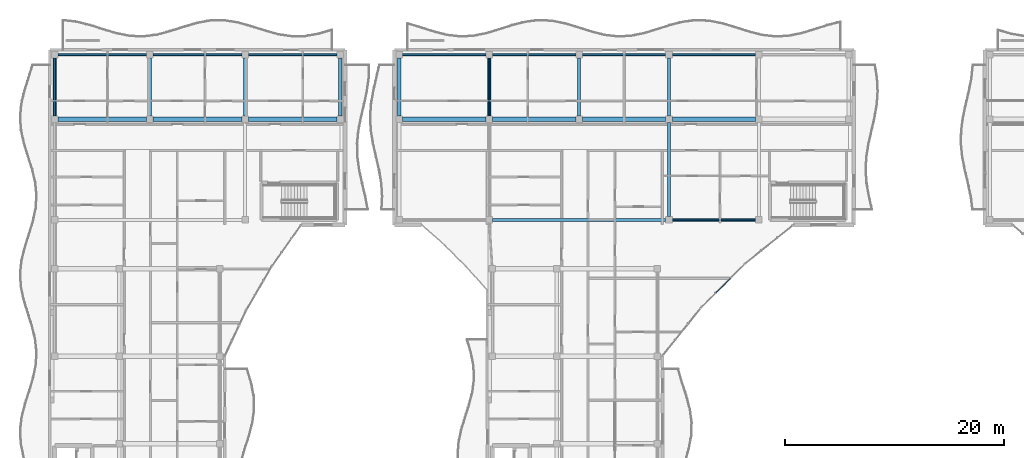
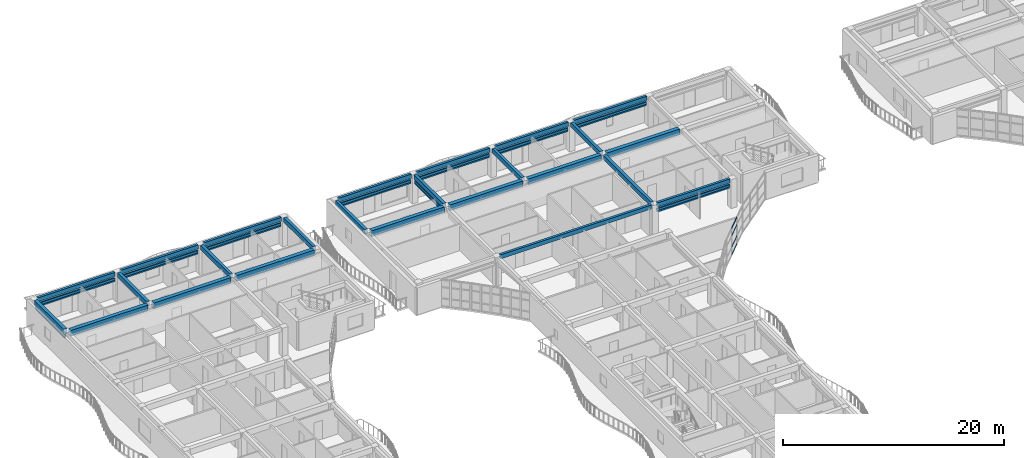
# One storey, part 14 of 79: 25 beams, 24 members, 1 element without a shape of its own.
"""IFC4 building model written with IfcOpenShell, lengths in metres."""

import ifcopenshell
import ifcopenshell.guid

model = None  # the IFC model being written
_history = None  # IfcOwnerHistory: only IFC2X3 demands one
_inside = {}  # id of a spatial element -> (the spatial element, [elements in it])
_under = {}  # id of a project, library or spatial element -> (it, [spatial elements below it])
_declared = {}  # id of a project -> (the project, [libraries it declares])
_typed = {}  # id of a type object -> (the type object, [elements of that type])
_made_of = {}  # id of a material, layer set ... -> (it, [elements and type objects made of it])


def new_model(schema):
    """Start an empty IFC model of exactly this schema.

    Asked for "IFC4X3", IfcOpenShell would pick the latest addendum, in which some entities
    have other attributes; the version numbers below select the first issue.
    IFC2X3 requires an IfcOwnerHistory on every rooted entity: one is made here for all.
    """
    global model, _history
    if schema == "IFC4X3":
        model = ifcopenshell.file(schema_version=(4, 3, 0, 0))
    else:
        model = ifcopenshell.file(schema=schema)
    _inside.clear()
    _under.clear()
    _declared.clear()
    _typed.clear()
    _made_of.clear()
    _history = None
    if model.schema == "IFC2X3":
        org = make("IfcOrganization", Name="unknown")
        user = make(
            "IfcPersonAndOrganization",
            ThePerson=make("IfcPerson", FamilyName="unknown"),
            TheOrganization=org,
        )
        app = make(
            "IfcApplication",
            ApplicationDeveloper=org,
            Version="unknown",
            ApplicationFullName="unknown",
            ApplicationIdentifier="unknown",
        )
        _history = make(
            "IfcOwnerHistory",
            OwningUser=user,
            OwningApplication=app,
            ChangeAction="ADDED",
            CreationDate=0,
        )
    return model


def make(cls, **values):
    """One entity of the class cls with the attributes given. An attribute that is None is left unset."""
    return model.create_entity(
        cls, **{name: value for name, value in values.items() if value is not None}
    )


def rooted(cls, **values):
    """An entity with a GlobalId (a new one), such as an element, a storey or a relation."""
    return make(cls, GlobalId=ifcopenshell.guid.new(), OwnerHistory=_history, **values)


def si_unit(unit_type, name, prefix=None):
    """IfcSIUnit, for example si_unit("LENGTHUNIT", "METRE", prefix="MILLI")."""
    return make("IfcSIUnit", UnitType=unit_type, Prefix=prefix, Name=name)


def assignment(units):
    """IfcUnitAssignment: the units of a project."""
    return None if units is None else make("IfcUnitAssignment", Units=units)


def point(xyz):
    """IfcCartesianPoint."""
    return None if xyz is None else make("IfcCartesianPoint", Coordinates=xyz)


def direction(xyz):
    """IfcDirection."""
    return None if xyz is None else make("IfcDirection", DirectionRatios=xyz)


def frame(location, z_axis=None, x_axis=None):
    """IfcAxis2Placement3D, a coordinate frame: its origin and axes. An axis left out is left unset."""
    return make(
        "IfcAxis2Placement3D",
        Location=point(location),
        Axis=direction(z_axis),
        RefDirection=direction(x_axis),
    )


def frame_2d(location, x_axis=None):
    """IfcAxis2Placement2D, a coordinate frame in the plane: its origin and x axis."""
    return make(
        "IfcAxis2Placement2D", Location=point(location), RefDirection=direction(x_axis)
    )


def origin():
    """The frame at (0, 0, 0) with its axes left unset."""
    return frame((0.0, 0.0, 0.0))


def origin_2d():
    """The frame at (0, 0) in the plane with its x axis left unset."""
    return frame_2d((0.0, 0.0))


def place(relative_to, where):
    """IfcLocalPlacement: puts the frame where relative to a parent placement (None: the world)."""
    return make(
        "IfcLocalPlacement", PlacementRelTo=relative_to, RelativePlacement=where
    )


def context(
    kind, dimensions, precision=None, world=None, true_north=None, identifier=None
):
    """IfcGeometricRepresentationContext, for example the 3D "Model" context."""
    return make(
        "IfcGeometricRepresentationContext",
        ContextIdentifier=identifier,
        ContextType=kind,
        CoordinateSpaceDimension=dimensions,
        Precision=precision,
        WorldCoordinateSystem=world,
        TrueNorth=true_north,
    )


def subcontext(parent, identifier, kind, view, scale=None):
    """IfcGeometricRepresentationSubContext, for example "Body" below "Model"."""
    return make(
        "IfcGeometricRepresentationSubContext",
        ContextIdentifier=identifier,
        ContextType=kind,
        ParentContext=parent,
        TargetScale=scale,
        TargetView=view,
    )


def project(units=None, contexts=None):
    """IfcProject with its units and contexts."""
    return rooted(
        "IfcProject",
        Name="project",
        RepresentationContexts=contexts,
        UnitsInContext=assignment(units),
    )


def spatial(cls, under=None, at=None, **own):
    """A site, building, storey or space (cls), placed at a placement, below another one or the project."""
    s = rooted(cls, ObjectPlacement=at, **own)
    if under is not None:
        _under.setdefault(under.id(), (under, []))[1].append(s)
    return s


def profile(cls, at=None, kind="AREA", **sizes):
    """A parametric profile (cls). Its sizes go by their IFC names, for example OverallWidth=200.0."""
    return make(cls, ProfileType=kind, Position=at, **sizes)


def rectangle(**sizes):
    """IfcRectangleProfileDef."""
    return profile("IfcRectangleProfileDef", **sizes)


def hollow_rectangle(**sizes):
    """IfcRectangleHollowProfileDef."""
    return profile("IfcRectangleHollowProfileDef", **sizes)


def extrude(swept, where, along, depth):
    """IfcExtrudedAreaSolid: the profile swept, set in the frame where, extruded along a direction by depth."""
    return make(
        "IfcExtrudedAreaSolid",
        SweptArea=swept,
        Position=where,
        ExtrudedDirection=direction(along),
        Depth=depth,
    )


def shape(context_of_items, identifier, shape_type, items):
    """IfcShapeRepresentation: the items that make up one representation, for example the "Body"."""
    return make(
        "IfcShapeRepresentation",
        ContextOfItems=context_of_items,
        RepresentationIdentifier=identifier,
        RepresentationType=shape_type,
        Items=items,
    )


def material(Name=None, Category=None):
    """IfcMaterial."""
    return make("IfcMaterial", Name=Name, Category=Category)


def layer(
    of_material, thickness, ventilated=None, Name=None, Category=None, Priority=None
):
    """IfcMaterialLayer: one layer of a wall or slab, of a material (None: an air gap)."""
    return make(
        "IfcMaterialLayer",
        Material=of_material,
        LayerThickness=thickness,
        IsVentilated=ventilated,
        Name=Name,
        Category=Category,
        Priority=Priority,
    )


def layer_set(layers, Name=None):
    """IfcMaterialLayerSet."""
    return make("IfcMaterialLayerSet", MaterialLayers=layers, LayerSetName=Name)


def material_profile(
    of_material, cross_section, Name=None, Category=None, Priority=None
):
    """IfcMaterialProfile: a cross section and its material."""
    return make(
        "IfcMaterialProfile",
        Name=Name,
        Material=of_material,
        Profile=cross_section,
        Priority=Priority,
        Category=Category,
    )


def profile_set(profiles, Name=None, composite=None):
    """IfcMaterialProfileSet."""
    return make(
        "IfcMaterialProfileSet",
        Name=Name,
        MaterialProfiles=profiles,
        CompositeProfile=composite,
    )


def made_of(thing, what):
    """Note that an element or type object is made of a material, layer set ...; save() writes the relation."""
    if what is not None:
        _made_of.setdefault(what.id(), (what, []))[1].append(thing)
    return thing


def type_object(cls, material=None, **own):
    """A type object (cls), such as IfcWallType, which elements share."""
    return made_of(rooted(cls, **own), material)


def element(
    cls,
    number,
    at=None,
    inside=None,
    cuts=None,
    type_object=None,
    material=None,
    context=None,
    identifier="Body",
    shape_type=None,
    held_by="IfcProductDefinitionShape",
    body=None,
    shapes=None,
    **own,
):
    """One element of the class cls, such as IfcWall. Its Tag is "e" and its number.

    at: its placement. inside: the storey or other place that contains it. cuts: it is an
    opening in that element (IfcRelVoidsElement). A single representation is given by context,
    identifier, shape_type and body (its items); several are given by shapes. held_by: the class
    of the entity that holds the representations. save() writes the other relations.
    """
    e = rooted(cls, Tag="e%d" % number, ObjectPlacement=at, **own)
    if body is not None:
        shapes = [shape(context, identifier, shape_type, body)]
    if shapes is not None:
        e.Representation = make(held_by, Representations=shapes)
    if inside is not None:
        _inside.setdefault(inside.id(), (inside, []))[1].append(e)
    if cuts is not None:
        rooted(
            "IfcRelVoidsElement", RelatingBuildingElement=cuts, RelatedOpeningElement=e
        )
    if type_object is not None:
        _typed.setdefault(type_object.id(), (type_object, []))[1].append(e)
    return made_of(e, material)


def aggregate(whole, parts):
    """IfcRelAggregates: a whole, such as a stair, and the parts it consists of."""
    return rooted("IfcRelAggregates", RelatingObject=whole, RelatedObjects=parts)


def save(model, path):
    """Write the relations noted so far, then the file.

    IfcRelAggregates (storeys below a building ...), IfcRelContainedInSpatialStructure (elements
    in a storey), IfcRelDefinesByType, IfcRelAssociatesMaterial and IfcRelDeclares: one each for
    every whole, place, type object, material and project.
    """
    for whole, parts in _under.values():
        aggregate(whole, parts)
    for where, things in _inside.values():
        rooted(
            "IfcRelContainedInSpatialStructure",
            RelatedElements=things,
            RelatingStructure=where,
        )
    for kind, things in _typed.values():
        rooted("IfcRelDefinesByType", RelatedObjects=things, RelatingType=kind)
    for what, things in _made_of.values():
        rooted("IfcRelAssociatesMaterial", RelatedObjects=things, RelatingMaterial=what)
    for by, libraries in _declared.values():
        rooted("IfcRelDeclares", RelatingContext=by, RelatedDefinitions=libraries)
    model.write(path)


model = new_model("IFC4")

# Units and contexts
model_context = context("Model", 3, precision=1e-05, world=origin(), true_north=direction((0.0, 1.0)))
body_context = subcontext(model_context, "Body", "Model", "MODEL_VIEW")
ifc_project = project(units=[si_unit("LENGTHUNIT", "METRE"), si_unit("AREAUNIT", "SQUARE_METRE"), si_unit("VOLUMEUNIT", "CUBIC_METRE"), si_unit("PLANEANGLEUNIT", "RADIAN"), si_unit("MASSUNIT", "GRAM", prefix="KILO")], contexts=[model_context])

# Site, building, storey
site_placement = place(None, origin())
site = spatial("IfcSite", under=ifc_project, at=site_placement, CompositionType="ELEMENT")
building_placement = place(site_placement, origin())
building = spatial("IfcBuilding", under=site, at=building_placement, Name="Keldmere Railside Commons", CompositionType="ELEMENT")
storey_placement = place(building_placement, frame((0.0, 0.0, 10.56005859375)))
storey = spatial("IfcBuildingStorey", under=building, at=storey_placement, Name="L03", CompositionType="ELEMENT", Elevation=10.56005859375)

# Members
ifc_material_1 = material(Name="Steel F-36 (S355)", Category="steel")
ifc_material_profile_1 = material_profile(ifc_material_1, hollow_rectangle(XDim=0.14990234375, YDim=0.25, WallThickness=0.010009765625, at=origin_2d()), Name="RHS-250x150x10")
ifc_profile_set_1 = profile_set([ifc_material_profile_1], Name="Steel F-36 (S355)")
member_type_1 = type_object("IfcMemberType", Name="Balcony Continuous Planted Trough RHS250x150", PredefinedType="CHORD", material=ifc_profile_set_1)
for number, where, z_axis, x_axis, name in (
    (1, (8.75, 115.550048828125, 2.4150390625), (1.0, 0.0, 0.0), (0.0, 1.0, 0.0), "PLT-1 MEM-BPLT-0329"),
    (2, (17.449951171875, 115.550048828125, 2.4150390625), (1.0, 0.0, 0.0), (0.0, 1.0, 0.0), "PLT-1 MEM-BPLT-0331"),
    (3, (26.14990234375, 115.550048828125, 2.4150390625), (1.0, 0.0, 0.0), (0.0, 1.0, 0.0), "PLT-1 MEM-BPLT-0333"),
):
    element("IfcMember", number, at=place(storey_placement, frame(where, z_axis=z_axis, x_axis=x_axis)), inside=storey, type_object=member_type_1, Name=name, PredefinedType="CHORD", context=body_context, shape_type="SweptSolid", body=[
        extrude(hollow_rectangle(XDim=0.14990234375, YDim=0.25, WallThickness=0.010009765625, at=origin_2d()), origin(), (0.0, 0.0, 1.0), 8.10009765625),
    ])
member_1_placement = place(storey_placement, frame((8.449951171875, 109.949951171875, 2.4150390625), z_axis=(0.0, 1.0, 0.0), x_axis=(-1.0, 0.0, 0.0)))
element("IfcMember", 4, at=member_1_placement, inside=storey, type_object=member_type_1, Name="PLT-1 MEM-BPLT-0343", PredefinedType="CHORD", context=body_context, shape_type="SweptSolid", body=[
    extrude(hollow_rectangle(XDim=0.14990234375, YDim=0.25, WallThickness=0.010009765625, at=origin_2d()), origin(), (0.0, 0.0, 1.0), 5.300048828125),
])
for number, where, z_axis, x_axis, name in (
    (5, (40.25, 115.550048828125, 2.4150390625), (1.0, 0.0, 0.0), (0.0, 1.0, 0.0), "PLT-1 MEM-BPLT-0355"),
    (6, (48.469970703125, 115.550048828125, 2.4150390625), (1.0, 0.0, 0.0), (0.0, 1.0, 0.0), "PLT-1 MEM-BPLT-0357"),
    (7, (56.68994140625, 115.550048828125, 2.4150390625), (1.0, 0.0, 0.0), (0.0, 1.0, 0.0), "PLT-1 MEM-BPLT-0359"),
    (8, (64.909912109375, 115.550048828125, 2.4150390625), (1.0, 0.0, 0.0), (0.0, 1.0, 0.0), "PLT-1 MEM-BPLT-0361"),
    (9, (64.909912109375, 100.449951171875, 2.4150390625), (1.0, 0.0, 0.0), (0.0, 1.0, 0.0), "PLT-1 MEM-BPLT-0367"),
):
    element("IfcMember", number, at=place(storey_placement, frame(where, z_axis=z_axis, x_axis=x_axis)), inside=storey, type_object=member_type_1, Name=name, PredefinedType="CHORD", context=body_context, shape_type="SweptSolid", body=[
        extrude(hollow_rectangle(XDim=0.14990234375, YDim=0.25, WallThickness=0.010009765625, at=origin_2d()), origin(), (0.0, 0.0, 1.0), 7.6201171875),
    ])
member_2_placement = place(storey_placement, frame((48.169921875, 109.949951171875, 2.4150390625), z_axis=(0.0, 1.0, 0.0), x_axis=(-1.0, 0.0, 0.0)))
element("IfcMember", 10, at=member_2_placement, inside=storey, type_object=member_type_1, Name="PLT-1 MEM-BPLT-0377", PredefinedType="CHORD", context=body_context, shape_type="SweptSolid", body=[
    extrude(hollow_rectangle(XDim=0.14990234375, YDim=0.25, WallThickness=0.010009765625, at=origin_2d()), origin(), (0.0, 0.0, 1.0), 5.300048828125),
])

# Beams
ifc_material_2 = material(Name="Architectural Precast Concrete H-35 (C35/45)", Category="concrete")
ifc_material_profile_2 = material_profile(ifc_material_2, rectangle(XDim=0.25, YDim=0.449951171875, at=origin_2d()), Name="RC-250x450")
ifc_profile_set_2 = profile_set([ifc_material_profile_2], Name="Architectural Precast Concrete H-35 (C35/45)")
beam_type_1 = type_object("IfcBeamType", Name="Perimeter Precast Spandrel Beam 250x450", PredefinedType="SPANDREL", material=ifc_profile_set_2)
beam_1_placement = place(storey_placement, frame((48.469970703125, 100.449951171875, 2.974853515625), z_axis=(1.0, 0.0, 0.0), x_axis=(0.0, 1.0, 0.0)))
element("IfcBeam", 11, at=beam_1_placement, inside=storey, type_object=beam_type_1, Name="SPB-1 BM-L03-1371", PredefinedType="SPANDREL", context=body_context, shape_type="SweptSolid", body=[
    extrude(rectangle(XDim=0.25, YDim=0.449951171875, at=origin_2d()), origin(), (0.0, 0.0, 1.0), 15.840087890625),
])
beam_2_placement = place(storey_placement, frame((64.909912109375, 100.449951171875, 2.974853515625), z_axis=(1.0, 0.0, 0.0), x_axis=(0.0, 1.0, 0.0)))
element("IfcBeam", 12, at=beam_2_placement, inside=storey, type_object=beam_type_1, Name="SPB-1 BM-L03-1372", PredefinedType="SPANDREL", context=body_context, shape_type="SweptSolid", body=[
    extrude(rectangle(XDim=0.25, YDim=0.449951171875, at=origin_2d()), origin(), (0.0, 0.0, 1.0), 7.6201171875),
])
for number, where, z_axis, x_axis, name in (
    (13, (8.75, 115.550048828125, 2.974853515625), (1.0, 0.0, 0.0), (0.0, 1.0, 0.0), "SPB-1 BM-L03-1398"),
    (14, (17.449951171875, 115.550048828125, 2.974853515625), (1.0, 0.0, 0.0), (0.0, 1.0, 0.0), "SPB-1 BM-L03-1399"),
    (15, (26.14990234375, 115.550048828125, 2.974853515625), (1.0, 0.0, 0.0), (0.0, 1.0, 0.0), "SPB-1 BM-L03-1400"),
):
    element("IfcBeam", number, at=place(storey_placement, frame(where, z_axis=z_axis, x_axis=x_axis)), inside=storey, type_object=beam_type_1, Name=name, PredefinedType="SPANDREL", context=body_context, shape_type="SweptSolid", body=[
        extrude(rectangle(XDim=0.25, YDim=0.449951171875, at=origin_2d()), origin(), (0.0, 0.0, 1.0), 8.10009765625),
    ])
for number, where, z_axis, x_axis, name in (
    (16, (40.25, 115.550048828125, 2.974853515625), (1.0, 0.0, 0.0), (0.0, 1.0, 0.0), "SPB-1 BM-L03-1401"),
    (17, (48.469970703125, 115.550048828125, 2.974853515625), (1.0, 0.0, 0.0), (0.0, 1.0, 0.0), "SPB-1 BM-L03-1402"),
    (18, (56.68994140625, 115.550048828125, 2.974853515625), (1.0, 0.0, 0.0), (0.0, 1.0, 0.0), "SPB-1 BM-L03-1403"),
    (19, (64.909912109375, 115.550048828125, 2.974853515625), (1.0, 0.0, 0.0), (0.0, 1.0, 0.0), "SPB-1 BM-L03-1404"),
):
    element("IfcBeam", number, at=place(storey_placement, frame(where, z_axis=z_axis, x_axis=x_axis)), inside=storey, type_object=beam_type_1, Name=name, PredefinedType="SPANDREL", context=body_context, shape_type="SweptSolid", body=[
        extrude(rectangle(XDim=0.25, YDim=0.449951171875, at=origin_2d()), origin(), (0.0, 0.0, 1.0), 7.6201171875),
    ])
ifc_material_3 = material(Name="Concrete H-30 (C30/37)", Category="concrete")
ifc_material_profile_3 = material_profile(ifc_material_3, rectangle(XDim=0.35009765625, YDim=0.60009765625, at=origin_2d()), Name="RC-350x600")
ifc_profile_set_3 = profile_set([ifc_material_profile_3], Name="Concrete H-30 (C30/37)")
beam_type_2 = type_object("IfcBeamType", Name="Residential Chord RC Beam 350x600", PredefinedType="BEAM", material=ifc_profile_set_3)
beam_3_placement = place(storey_placement, frame((8.449951171875, 109.949951171875, 2.89990234375), z_axis=(0.0, 1.0, 0.0), x_axis=(-1.0, 0.0, 0.0)))
element("IfcBeam", 20, at=beam_3_placement, inside=storey, type_object=beam_type_2, Name="BG-4 BM-L03-1422", PredefinedType="BEAM", context=body_context, shape_type="SweptSolid", body=[
    extrude(rectangle(XDim=0.35009765625, YDim=0.60009765625, at=origin_2d()), origin(), (0.0, 0.0, 1.0), 5.300048828125),
])
ifc_material_profile_4 = material_profile(ifc_material_3, rectangle(XDim=0.39990234375, YDim=0.64990234375, at=origin_2d()), Name="RC-400x650")
ifc_profile_set_4 = profile_set([ifc_material_profile_4], Name="Concrete H-30 (C30/37)")
beam_type_3 = type_object("IfcBeamType", Name="Residential Spine RC Girder 400x650", PredefinedType="BEAM", material=ifc_profile_set_4)
for number, where, z_axis, x_axis, name in (
    (21, (8.75, 109.64990234375, 2.875), (1.0, 0.0, 0.0), (0.0, 1.0, 0.0), "BG-3 BM-L03-1379"),
    (22, (17.449951171875, 109.64990234375, 2.875), (1.0, 0.0, 0.0), (0.0, 1.0, 0.0), "BG-3 BM-L03-1380"),
    (23, (26.14990234375, 109.64990234375, 2.875), (1.0, 0.0, 0.0), (0.0, 1.0, 0.0), "BG-3 BM-L03-1381"),
):
    element("IfcBeam", number, at=place(storey_placement, frame(where, z_axis=z_axis, x_axis=x_axis)), inside=storey, type_object=beam_type_3, Name=name, PredefinedType="BEAM", context=body_context, shape_type="SweptSolid", body=[
        extrude(rectangle(XDim=0.39990234375, YDim=0.64990234375, at=origin_2d()), origin(), (0.0, 0.0, 1.0), 8.10009765625),
    ])
for number, where, z_axis, x_axis, name in (
    (24, (40.25, 109.64990234375, 2.875), (1.0, 0.0, 0.0), (0.0, 1.0, 0.0), "BG-3 BM-L03-1382"),
    (25, (48.469970703125, 109.64990234375, 2.875), (1.0, 0.0, 0.0), (0.0, 1.0, 0.0), "BG-3 BM-L03-1383"),
    (26, (56.68994140625, 109.64990234375, 2.875), (1.0, 0.0, 0.0), (0.0, 1.0, 0.0), "BG-3 BM-L03-1384"),
    (27, (64.909912109375, 109.64990234375, 2.875), (1.0, 0.0, 0.0), (0.0, 1.0, 0.0), "BG-3 BM-L03-1385"),
):
    element("IfcBeam", number, at=place(storey_placement, frame(where, z_axis=z_axis, x_axis=x_axis)), inside=storey, type_object=beam_type_3, Name=name, PredefinedType="BEAM", context=body_context, shape_type="SweptSolid", body=[
        extrude(rectangle(XDim=0.39990234375, YDim=0.64990234375, at=origin_2d()), origin(), (0.0, 0.0, 1.0), 7.6201171875),
    ])
ifc_material_profile_5 = material_profile(ifc_material_3, rectangle(XDim=0.300048828125, YDim=0.5, at=origin_2d()), Name="RC-300x500")
ifc_profile_set_5 = profile_set([ifc_material_profile_5], Name="Concrete H-30 (C30/37)")
beam_type_4 = type_object("IfcBeamType", Name="Secondary Frame RC Beam 300x500", PredefinedType="BEAM", material=ifc_profile_set_5)
for number, where, z_axis, x_axis, name in (
    (28, (17.14990234375, 109.949951171875, 2.949951171875), (0.0, 1.0, 0.0), (-1.0, 0.0, 0.0), "BG-5 BM-L03-1428"),
    (29, (25.85009765625, 109.949951171875, 2.949951171875), (0.0, 1.0, 0.0), (-1.0, 0.0, 0.0), "BG-5 BM-L03-1435"),
    (30, (34.550048828125, 109.949951171875, 2.949951171875), (0.0, 1.0, 0.0), (-1.0, 0.0, 0.0), "BG-5 BM-L03-1436"),
    (31, (39.949951171875, 109.949951171875, 2.949951171875), (0.0, 1.0, 0.0), (-1.0, 0.0, 0.0), "BG-5 BM-L03-1438"),
    (32, (48.169921875, 109.949951171875, 2.949951171875), (0.0, 1.0, 0.0), (-1.0, 0.0, 0.0), "BG-5 BM-L03-1442"),
    (33, (56.389892578125, 109.949951171875, 2.949951171875), (0.0, 1.0, 0.0), (-1.0, 0.0, 0.0), "BG-5 BM-L03-1450"),
):
    element("IfcBeam", number, at=place(storey_placement, frame(where, z_axis=z_axis, x_axis=x_axis)), inside=storey, type_object=beam_type_4, Name=name, PredefinedType="BEAM", context=body_context, shape_type="SweptSolid", body=[
        extrude(rectangle(XDim=0.300048828125, YDim=0.5, at=origin_2d()), origin(), (0.0, 0.0, 1.0), 5.300048828125),
    ])
beam_4_placement = place(storey_placement, frame((64.610107421875, 100.75, 2.949951171875), z_axis=(0.0, 1.0, 0.0), x_axis=(-1.0, 0.0, 0.0)))
element("IfcBeam", 34, at=beam_4_placement, inside=storey, type_object=beam_type_4, Name="BG-5 BM-L03-1456", PredefinedType="BEAM", context=body_context, shape_type="SweptSolid", body=[
    extrude(rectangle(XDim=0.300048828125, YDim=0.5, at=origin_2d()), origin(), (0.0, 0.0, 1.0), 8.60009765625),
])
beam_5_placement = place(storey_placement, frame((64.610107421875, 109.949951171875, 2.949951171875), z_axis=(0.0, 1.0, 0.0), x_axis=(-1.0, 0.0, 0.0)))
element("IfcBeam", 35, at=beam_5_placement, inside=storey, type_object=beam_type_4, Name="BG-5 BM-L03-1457", PredefinedType="BEAM", context=body_context, shape_type="SweptSolid", body=[
    extrude(rectangle(XDim=0.300048828125, YDim=0.5, at=origin_2d()), origin(), (0.0, 0.0, 1.0), 5.300048828125),
])

# Members
ifc_material_profile_6 = material_profile(ifc_material_1, hollow_rectangle(XDim=0.10009765625, YDim=0.159912109375, WallThickness=0.008056640625, at=origin_2d()), Name="RHS-160x100x8")
ifc_profile_set_6 = profile_set([ifc_material_profile_6], Name="Steel F-36 (S355)")
member_type_2 = type_object("IfcMemberType", Name="Solar Brise-Soleil Louvre Fin RHS160x100", PredefinedType="STRUT", material=ifc_profile_set_6)
for number, where, z_axis, x_axis, name in (
    (36, (8.75, 115.550048828125, 2.199951171875), (1.0, 0.0, 0.0), (0.0, 1.0, 0.0), "BSF-1 MEM-BSF-0330"),
    (37, (17.449951171875, 115.550048828125, 2.199951171875), (1.0, 0.0, 0.0), (0.0, 1.0, 0.0), "BSF-1 MEM-BSF-0332"),
    (38, (26.14990234375, 115.550048828125, 2.199951171875), (1.0, 0.0, 0.0), (0.0, 1.0, 0.0), "BSF-1 MEM-BSF-0334"),
):
    element("IfcMember", number, at=place(storey_placement, frame(where, z_axis=z_axis, x_axis=x_axis)), inside=storey, type_object=member_type_2, Name=name, PredefinedType="STRUT", context=body_context, shape_type="SweptSolid", body=[
        extrude(hollow_rectangle(XDim=0.10009765625, YDim=0.159912109375, WallThickness=0.008056640625, at=origin_2d()), origin(), (0.0, 0.0, 1.0), 8.10009765625),
    ])
member_3_placement = place(storey_placement, frame((8.449951171875, 109.949951171875, 2.199951171875), z_axis=(0.0, 1.0, 0.0), x_axis=(-1.0, 0.0, 0.0)))
element("IfcMember", 39, at=member_3_placement, inside=storey, type_object=member_type_2, Name="BSF-1 MEM-BSF-0344", PredefinedType="STRUT", context=body_context, shape_type="SweptSolid", body=[
    extrude(hollow_rectangle(XDim=0.10009765625, YDim=0.159912109375, WallThickness=0.008056640625, at=origin_2d()), origin(), (0.0, 0.0, 1.0), 5.300048828125),
])
for number, where, z_axis, x_axis, name in (
    (40, (40.25, 115.550048828125, 2.199951171875), (1.0, 0.0, 0.0), (0.0, 1.0, 0.0), "BSF-1 MEM-BSF-0356"),
    (41, (48.469970703125, 115.550048828125, 2.199951171875), (1.0, 0.0, 0.0), (0.0, 1.0, 0.0), "BSF-1 MEM-BSF-0358"),
    (42, (56.68994140625, 115.550048828125, 2.199951171875), (1.0, 0.0, 0.0), (0.0, 1.0, 0.0), "BSF-1 MEM-BSF-0360"),
    (43, (64.909912109375, 115.550048828125, 2.199951171875), (1.0, 0.0, 0.0), (0.0, 1.0, 0.0), "BSF-1 MEM-BSF-0362"),
    (44, (64.909912109375, 100.449951171875, 2.199951171875), (1.0, 0.0, 0.0), (0.0, 1.0, 0.0), "BSF-1 MEM-BSF-0368"),
):
    element("IfcMember", number, at=place(storey_placement, frame(where, z_axis=z_axis, x_axis=x_axis)), inside=storey, type_object=member_type_2, Name=name, PredefinedType="STRUT", context=body_context, shape_type="SweptSolid", body=[
        extrude(hollow_rectangle(XDim=0.10009765625, YDim=0.159912109375, WallThickness=0.008056640625, at=origin_2d()), origin(), (0.0, 0.0, 1.0), 7.6201171875),
    ])
member_4_placement = place(storey_placement, frame((48.169921875, 109.949951171875, 2.199951171875), z_axis=(0.0, 1.0, 0.0), x_axis=(-1.0, 0.0, 0.0)))
element("IfcMember", 45, at=member_4_placement, inside=storey, type_object=member_type_2, Name="BSF-1 MEM-BSF-0378", PredefinedType="STRUT", context=body_context, shape_type="SweptSolid", body=[
    extrude(hollow_rectangle(XDim=0.10009765625, YDim=0.159912109375, WallThickness=0.008056640625, at=origin_2d()), origin(), (0.0, 0.0, 1.0), 5.300048828125),
])

# Curtain wall, members
ifc_material_4 = material(Name="Thermally Broken Aluminium", Category="aluminium")
ifc_layer = layer(ifc_material_4, 0.159912109375, Name="Court Chord Wintergarden CW 5400x2850")
ifc_layer_set = layer_set([ifc_layer], Name="Thermally Broken Aluminium")
curtain_wall_type = type_object("IfcCurtainWallType", Name="Court Chord Wintergarden CW 5400x2850", PredefinedType="NOTDEFINED", material=ifc_layer_set)
curtain_wall_placement = place(storey_placement, origin())
curtain_wall = element("IfcCurtainWall", 46, at=curtain_wall_placement, inside=storey, type_object=curtain_wall_type, Name="CW-13 CW-L03-044", PredefinedType="NOTDEFINED")
ifc_material_profile_7 = material_profile(ifc_material_4, hollow_rectangle(XDim=0.06494140625, YDim=0.1201171875, WallThickness=0.00390625, at=origin_2d()), Name="ALU-TRAN-65x120")
ifc_profile_set_7 = profile_set([ifc_material_profile_7], Name="Thermally Broken Aluminium")
member_type_3 = type_object("IfcMemberType", Name="Unitised Curtain Wall Transom 65x120", PredefinedType="USERDEFINED", material=ifc_profile_set_7)
member_5_placement = place(storey_placement, frame((70.208251953125, 95.08447265625, 0.032470703125), z_axis=(-0.707106781187, -0.707106781187, 0.0), x_axis=(0.707106781187, -0.707106781187, 0.0)))
member_5 = element("IfcMember", 47, at=member_5_placement, type_object=member_type_3, Name="CW-13 transom 2.1", ObjectType="TRANSOM", PredefinedType="USERDEFINED", context=body_context, shape_type="SweptSolid", body=[
    extrude(hollow_rectangle(XDim=0.06494140625, YDim=0.1201171875, WallThickness=0.00390625, at=origin_2d()), origin(), (0.0, 0.0, 1.0), 1.828125),
])
member_6_placement = place(storey_placement, frame((70.208251953125, 95.08447265625, 0.89990234375), z_axis=(-0.707106781187, -0.707106781187, 0.0), x_axis=(0.707106781187, -0.707106781187, 0.0)))
member_6 = element("IfcMember", 48, at=member_6_placement, type_object=member_type_3, Name="CW-13 transom 2.2", ObjectType="TRANSOM", PredefinedType="USERDEFINED", context=body_context, shape_type="SweptSolid", body=[
    extrude(hollow_rectangle(XDim=0.06494140625, YDim=0.1201171875, WallThickness=0.00390625, at=origin_2d()), origin(), (0.0, 0.0, 1.0), 1.828125),
])
member_7_placement = place(storey_placement, frame((70.208251953125, 95.08447265625, 2.14990234375), z_axis=(-0.707106781187, -0.707106781187, 0.0), x_axis=(0.707106781187, -0.707106781187, 0.0)))
member_7 = element("IfcMember", 49, at=member_7_placement, type_object=member_type_3, Name="CW-13 transom 2.3", ObjectType="TRANSOM", PredefinedType="USERDEFINED", context=body_context, shape_type="SweptSolid", body=[
    extrude(hollow_rectangle(XDim=0.06494140625, YDim=0.1201171875, WallThickness=0.00390625, at=origin_2d()), origin(), (0.0, 0.0, 1.0), 1.828125),
])
member_8_placement = place(storey_placement, frame((70.208251953125, 95.08447265625, 2.947509765625), z_axis=(-0.707106781187, -0.707106781187, 0.0), x_axis=(0.707106781187, -0.707106781187, 0.0)))
member_8 = element("IfcMember", 50, at=member_8_placement, type_object=member_type_3, Name="CW-13 transom 2.4", ObjectType="TRANSOM", PredefinedType="USERDEFINED", context=body_context, shape_type="SweptSolid", body=[
    extrude(hollow_rectangle(XDim=0.06494140625, YDim=0.1201171875, WallThickness=0.00390625, at=origin_2d()), origin(), (0.0, 0.0, 1.0), 1.828125),
])
aggregate(curtain_wall, [member_5, member_6, member_7, member_8])

save(model, "model.ifc")
